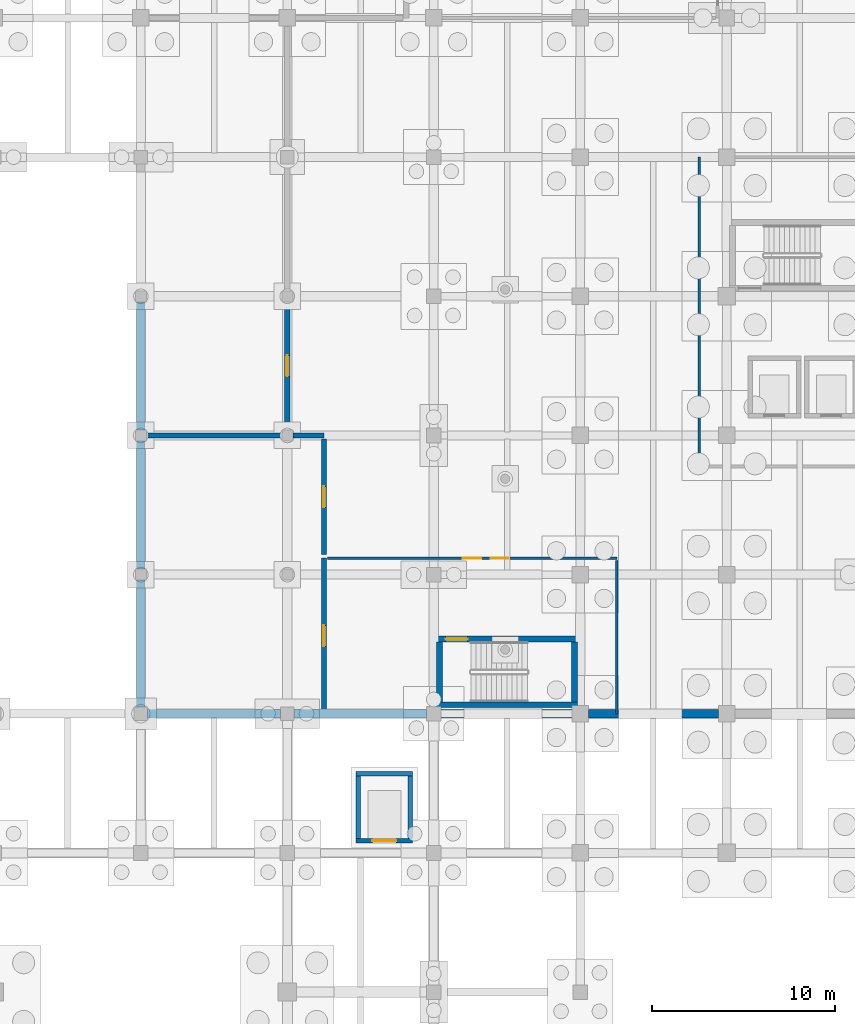
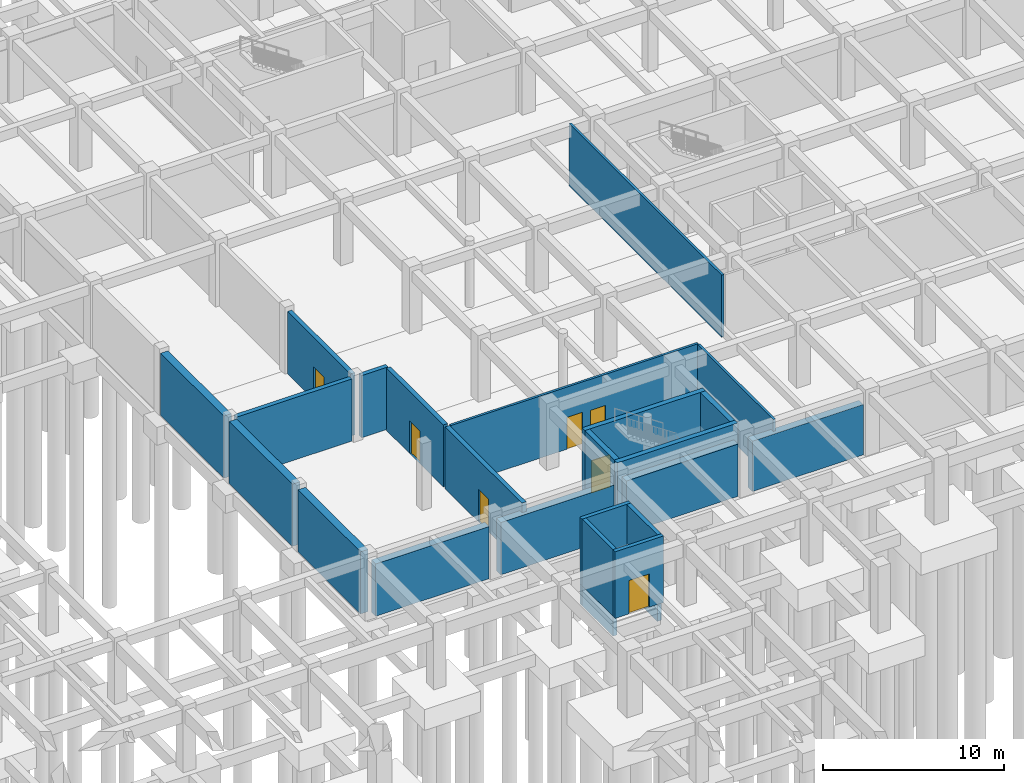
# One storey, part 34 of 49: 26 walls, 7 doors, 7 openings.
"""IFC4 building model written with IfcOpenShell, lengths in metres."""

from ifc_helpers import new_model, si_unit, direction, frame, frame_2d, origin, place, context, subcontext, project, spatial, rectangle, extrude, material, layer, layer_set, type_object, element, fill, save


model = new_model("IFC4")

# Units and contexts
model_context = context("Model", 3, precision=1e-05, world=origin(), true_north=direction((0.0, 1.0)))
body_context = subcontext(model_context, "Body", "Model", "MODEL_VIEW")
ifc_project = project(units=[si_unit("LENGTHUNIT", "METRE"), si_unit("AREAUNIT", "SQUARE_METRE"), si_unit("VOLUMEUNIT", "CUBIC_METRE"), si_unit("PLANEANGLEUNIT", "RADIAN"), si_unit("MASSUNIT", "GRAM", prefix="KILO")], contexts=[model_context])

# Site, building, storey
site_placement = place(None, origin())
site = spatial("IfcSite", under=ifc_project, at=site_placement, CompositionType="ELEMENT")
building_placement = place(site_placement, origin())
building = spatial("IfcBuilding", under=site, at=building_placement, Name="Zantavel Square City Hall", CompositionType="ELEMENT")
storey_placement = place(building_placement, frame((0.0, 0.0, -4.5)))
storey = spatial("IfcBuildingStorey", under=building, at=storey_placement, Name="B1", CompositionType="ELEMENT", Elevation=-4.5)

# Wall
ifc_material_1 = material(Name="Concrete C35/45", Category="concrete")
ifc_layer_1 = layer(ifc_material_1, 0.280029296875, Name="Concrete C35/45")
ifc_layer_set_1 = layer_set([ifc_layer_1], Name="Concrete C35/45")
wall_type_1 = type_object("IfcWallType", Name="Archive & Substation Vault Wall 280mm", PredefinedType="STANDARD", material=ifc_layer_set_1)
wall_1_placement = place(storey_placement, frame((32.31005859375, 53.199951171875, 0.0), z_axis=(0.0, 0.0, 1.0), x_axis=(1.0, 0.0, 0.0)))
element("IfcWall", 1, at=wall_1_placement, inside=storey, type_object=wall_type_1, Name="B1 Interior Wall IW-B1-0008", PredefinedType="STANDARD", context=body_context, shape_type="SweptSolid", body=[
    extrude(rectangle(XDim=7.3798828125, YDim=0.280029296875, at=frame_2d((3.68994140625, 0.0))), origin(), (0.0, 0.0, 1.0), 4.199951171875),
])

# Wall, opening, door
wall_2_placement = place(storey_placement, frame((42.0, 46.5, 0.0), z_axis=(0.0, 0.0, 1.0), x_axis=(0.0, -1.0, 0.0)))
wall_2 = element("IfcWall", 2, at=wall_2_placement, inside=storey, type_object=wall_type_1, Name="B1 Interior Wall IW-B1-0009", PredefinedType="STANDARD", context=body_context, shape_type="SweptSolid", body=[
    extrude(rectangle(XDim=8.5, YDim=0.280029296875, at=frame_2d((4.25, 0.0))), origin(), (0.0, 0.0, 1.0), 4.179931640625),
])
opening_1_placement = place(wall_2_placement, frame((3.675048828125, 0.0, 0.0)))
opening_1 = element("IfcOpeningElement", 3, at=opening_1_placement, cuts=wall_2, Name="Opening D-0004", PredefinedType="OPENING", context=body_context, shape_type="SweptSolid", body=[
    extrude(rectangle(XDim=1.14990234375, YDim=2.199951171875, at=frame_2d((0.574951171875, 1.10009765625))), frame((0.0, 0.14990234375, 0.0), z_axis=(0.0, -1.0, 0.0), x_axis=(1.0, 0.0, 0.0)), (0.0, 0.0, 1.0), 0.300048828125),
])
ifc_material_2 = material(Name="Steel ASTM A500 Grade B", Category="steel")
door_type_1 = type_object("IfcDoorType", Name="Archive & Plant Fire Door 1150x2200 FD90S", OperationType="NOTDEFINED", PredefinedType="DOOR", material=ifc_material_2)
door_1_placement = place(opening_1_placement, origin())
door_1 = element("IfcDoor", 4, at=door_1_placement, inside=storey, type_object=door_type_1, Name="B1 Electrical Substation Room Door", OperationType="SINGLE_SWING_RIGHT", OverallHeight=2.199951171875, OverallWidth=1.14990234375, PredefinedType="DOOR", context=body_context, shape_type="SweptSolid", body=[
    extrude(rectangle(XDim=1.14990234375, YDim=2.199951171875, at=frame_2d((0.574951171875, 1.10009765625))), frame((0.0, 0.02490234375, 0.0), z_axis=(0.0, -1.0, 0.0), x_axis=(1.0, 0.0, 0.0)), (0.0, 0.0, 1.0), 0.050048828125),
])
fill(opening_1, door_1)

# Wall
wall_3_placement = place(storey_placement, frame((40.31005859375, 53.199951171875, 0.0), z_axis=(0.0, 0.0, 1.0), x_axis=(1.0, 0.0, 0.0)))
element("IfcWall", 5, at=wall_3_placement, inside=storey, type_object=wall_type_1, Name="B1 Interior Wall IW-B1-0010", PredefinedType="STANDARD", context=body_context, shape_type="SweptSolid", body=[
    extrude(rectangle(XDim=1.68994140625, YDim=0.280029296875, at=frame_2d((0.844970703125, 0.0))), origin(), (0.0, 0.0, 1.0), 4.199951171875),
])

# Wall, opening, door
wall_4_placement = place(storey_placement, frame((42.0, 53.010009765625, 0.0), z_axis=(0.0, 0.0, 1.0), x_axis=(0.0, -1.0, 0.0)))
wall_4 = element("IfcWall", 6, at=wall_4_placement, inside=storey, type_object=wall_type_1, Name="B1 Interior Wall IW-B1-0011", PredefinedType="STANDARD", context=body_context, shape_type="SweptSolid", body=[
    extrude(rectangle(XDim=6.320068359375, YDim=0.280029296875, at=frame_2d((3.16015625, 0.0))), origin(), (0.0, 0.0, 1.0), 4.199951171875),
])
opening_2_placement = place(wall_4_placement, frame((2.5849609375, 0.0, 0.0)))
opening_2 = element("IfcOpeningElement", 7, at=opening_2_placement, cuts=wall_4, Name="Opening D-0005", PredefinedType="OPENING", context=body_context, shape_type="SweptSolid", body=[
    extrude(rectangle(XDim=1.14990234375, YDim=2.199951171875, at=frame_2d((0.574951171875, 1.10009765625))), frame((0.0, 0.14990234375, 0.0), z_axis=(0.0, -1.0, 0.0), x_axis=(1.0, 0.0, 0.0)), (0.0, 0.0, 1.0), 0.300048828125),
])
door_2_placement = place(opening_2_placement, origin())
door_2 = element("IfcDoor", 8, at=door_2_placement, inside=storey, type_object=door_type_1, Name="B1 Electrical Substation Room Door", OperationType="SINGLE_SWING_LEFT", OverallHeight=2.199951171875, OverallWidth=1.14990234375, PredefinedType="DOOR", context=body_context, shape_type="SweptSolid", body=[
    extrude(rectangle(XDim=1.14990234375, YDim=2.199951171875, at=frame_2d((0.574951171875, 1.10009765625))), frame((0.0, 0.02490234375, 0.0), z_axis=(0.0, -1.0, 0.0), x_axis=(1.0, 0.0, 0.0)), (0.0, 0.0, 1.0), 0.050048828125),
])
fill(opening_2, door_2)

wall_5_placement = place(storey_placement, frame((40.0, 60.489990234375, 0.0), z_axis=(0.0, 0.0, 1.0), x_axis=(0.0, -1.0, 0.0)))
wall_5 = element("IfcWall", 9, at=wall_5_placement, inside=storey, type_object=wall_type_1, Name="B1 Interior Wall IW-B1-0015", PredefinedType="STANDARD", context=body_context, shape_type="SweptSolid", body=[
    extrude(rectangle(XDim=6.97998046875, YDim=0.280029296875, at=frame_2d((3.489990234375, 0.0))), origin(), (0.0, 0.0, 1.0), 4.199951171875),
])
opening_3_placement = place(wall_5_placement, frame((2.9150390625, 0.0, 0.0)))
opening_3 = element("IfcOpeningElement", 10, at=opening_3_placement, cuts=wall_5, Name="Opening D-0006", PredefinedType="OPENING", context=body_context, shape_type="SweptSolid", body=[
    extrude(rectangle(XDim=1.14990234375, YDim=2.199951171875, at=frame_2d((0.574951171875, 1.10009765625))), frame((0.0, 0.14990234375, 0.0), z_axis=(0.0, -1.0, 0.0), x_axis=(1.0, 0.0, 0.0)), (0.0, 0.0, 1.0), 0.300048828125),
])
door_3_placement = place(opening_3_placement, origin())
door_3 = element("IfcDoor", 11, at=door_3_placement, inside=storey, type_object=door_type_1, Name="B1 Emergency Generator Room Door", OperationType="SINGLE_SWING_RIGHT", OverallHeight=2.199951171875, OverallWidth=1.14990234375, PredefinedType="DOOR", context=body_context, shape_type="SweptSolid", body=[
    extrude(rectangle(XDim=1.14990234375, YDim=2.199951171875, at=frame_2d((0.574951171875, 1.10009765625))), frame((0.0, 0.02490234375, 0.0), z_axis=(0.0, -1.0, 0.0), x_axis=(1.0, 0.0, 0.0)), (0.0, 0.0, 1.0), 0.050048828125),
])
fill(opening_3, door_3)

# Walls
ifc_material_3 = material(Name="Concrete C40/50", Category="concrete")
ifc_layer_2 = layer(ifc_material_3, 0.47998046875, Name="Concrete C40/50")
ifc_layer_set_2 = layer_set([ifc_layer_2], Name="Concrete C40/50")
wall_type_2 = type_object("IfcWallType", Name="Basement Retaining Wall RC 480mm C40/50", PredefinedType="SHEAR", material=ifc_layer_set_2)
wall_6_placement = place(storey_placement, frame((63.550048828125, 38.0, 0.0), z_axis=(0.0, 0.0, 1.0), x_axis=(-1.0, 0.0, 0.0)))
element("IfcWall", 12, at=wall_6_placement, inside=storey, type_object=wall_type_2, Name="B1 Exterior Wall EW-B1-032", PredefinedType="SHEAR", context=body_context, shape_type="SweptSolid", body=[
    extrude(rectangle(XDim=7.10009765625, YDim=0.47998046875, at=frame_2d((3.550048828125, 0.0))), origin(), (0.0, 0.0, 1.0), 3.39990234375),
])
wall_7_placement = place(storey_placement, frame((55.550048828125, 38.0, 0.0), z_axis=(0.0, 0.0, 1.0), x_axis=(-1.0, 0.0, 0.0)))
element("IfcWall", 13, at=wall_7_placement, inside=storey, type_object=wall_type_2, Name="B1 Exterior Wall EW-B1-033", PredefinedType="SHEAR", context=body_context, shape_type="SweptSolid", body=[
    extrude(rectangle(XDim=7.150146484375, YDim=0.47998046875, at=frame_2d((3.5751953125, 0.0))), origin(), (0.0, 0.0, 1.0), 3.530029296875),
])
wall_8_placement = place(storey_placement, frame((47.60009765625, 38.0, 0.0), z_axis=(0.0, 0.0, 1.0), x_axis=(-1.0, 0.0, 0.0)))
element("IfcWall", 14, at=wall_8_placement, inside=storey, type_object=wall_type_2, Name="B1 Exterior Wall EW-B1-034", PredefinedType="SHEAR", context=body_context, shape_type="SweptSolid", body=[
    extrude(rectangle(XDim=7.22509765625, YDim=0.47998046875, at=frame_2d((3.612548828125, 0.0))), origin(), (0.0, 0.0, 1.0), 3.530029296875),
])
wall_9_placement = place(storey_placement, frame((39.625, 38.0, 0.0), z_axis=(0.0, 0.0, 1.0), x_axis=(-1.0, 0.0, 0.0)))
element("IfcWall", 15, at=wall_9_placement, inside=storey, type_object=wall_type_2, Name="B1 Exterior Wall EW-B1-035", PredefinedType="SHEAR", context=body_context, shape_type="SweptSolid", body=[
    extrude(rectangle(XDim=7.25, YDim=0.47998046875, at=frame_2d((3.625, 0.0))), origin(), (0.0, 0.0, 1.0), 3.530029296875),
])
wall_10_placement = place(storey_placement, frame((32.0, 38.375, 0.0), z_axis=(0.0, 0.0, 1.0), x_axis=(0.0, 1.0, 0.0)))
element("IfcWall", 16, at=wall_10_placement, inside=storey, type_object=wall_type_2, Name="B1 Exterior Wall EW-B1-036", PredefinedType="SHEAR", context=body_context, shape_type="SweptSolid", body=[
    extrude(rectangle(XDim=6.925048828125, YDim=0.47998046875, at=frame_2d((3.46240234375, 0.0))), origin(), (0.0, 0.0, 1.0), 4.199951171875),
])
for number, where, z_axis, x_axis, name in (
    (17, (32.0, 45.89990234375, 0.0), (0.0, 0.0, 1.0), (0.0, 1.0, 0.0), "B1 Exterior Wall EW-B1-037"),
    (18, (32.0, 53.5, 0.0), (0.0, 0.0, 1.0), (0.0, 1.0, 0.0), "B1 Exterior Wall EW-B1-038"),
):
    element("IfcWall", number, at=place(storey_placement, frame(where, z_axis=z_axis, x_axis=x_axis)), inside=storey, type_object=wall_type_2, Name=name, PredefinedType="SHEAR", context=body_context, shape_type="SweptSolid", body=[
        extrude(rectangle(XDim=7.0, YDim=0.47998046875, at=frame_2d((3.5, 0.0))), origin(), (0.0, 0.0, 1.0), 4.199951171875),
    ])
ifc_layer_3 = layer(ifc_material_3, 0.320068359375, Name="Concrete C40/50")
ifc_layer_set_3 = layer_set([ifc_layer_3], Name="Concrete C40/50")
wall_type_3 = type_object("IfcWallType", Name="Core Shear Wall RC 320mm C40/50", PredefinedType="SHEAR", material=ifc_layer_set_3)
wall_11_placement = place(storey_placement, frame((55.85009765625, 38.489990234375, 0.0), z_axis=(0.0, 0.0, 1.0), x_axis=(-1.0, 0.0, 0.0)))
element("IfcWall", 19, at=wall_11_placement, inside=storey, type_object=wall_type_3, Name="B1 Exit Stair 3 West Pavilion Core Shear Wall South", PredefinedType="SHEAR", context=body_context, shape_type="SweptSolid", body=[
    extrude(rectangle(XDim=7.7001953125, YDim=0.320068359375, at=frame_2d((3.85009765625, 0.0))), origin(), (0.0, 0.0, 1.0), 4.5),
])
wall_12_placement = place(storey_placement, frame((48.31005859375, 38.64990234375, 0.0), z_axis=(0.0, 0.0, 1.0), x_axis=(0.0, 1.0, 0.0)))
element("IfcWall", 20, at=wall_12_placement, inside=storey, type_object=wall_type_3, Name="B1 Exit Stair 3 West Pavilion Core Shear Wall West", PredefinedType="SHEAR", context=body_context, shape_type="SweptSolid", body=[
    extrude(rectangle(XDim=3.27001953125, YDim=0.320068359375, at=frame_2d((1.635009765625, 0.0))), origin(), (0.0, 0.0, 1.0), 4.5),
])

# Wall, opening, door
wall_13_placement = place(storey_placement, frame((48.14990234375, 42.080078125, 0.0), z_axis=(0.0, 0.0, 1.0), x_axis=(1.0, 0.0, 0.0)))
wall_13 = element("IfcWall", 21, at=wall_13_placement, inside=storey, type_object=wall_type_3, Name="B1 Exit Stair 3 West Pavilion Core Shear Wall North", PredefinedType="SHEAR", context=body_context, shape_type="SweptSolid", body=[
    extrude(rectangle(XDim=7.7001953125, YDim=0.320068359375, at=frame_2d((3.85009765625, 0.0))), origin(), (0.0, 0.0, 1.0), 4.5),
])
opening_4_placement = place(wall_13_placement, frame((0.5, 0.0, 0.0)))
opening_4 = element("IfcOpeningElement", 22, at=opening_4_placement, cuts=wall_13, Name="Opening SD-012", PredefinedType="OPENING", context=body_context, shape_type="SweptSolid", body=[
    extrude(rectangle(XDim=1.199951171875, YDim=2.199951171875, at=frame_2d((0.60009765625, 1.10009765625))), frame((0.0, 0.169921875, 0.0), z_axis=(0.0, -1.0, 0.0), x_axis=(1.0, 0.0, 0.0)), (0.0, 0.0, 1.0), 0.340087890625),
])
door_type_2 = type_object("IfcDoorType", Name="Enclosed Exit Stairwell Fire Door 1200x2200 FD90S", OperationType="NOTDEFINED", PredefinedType="DOOR", material=ifc_material_2)
door_4_placement = place(opening_4_placement, origin())
door_4 = element("IfcDoor", 23, at=door_4_placement, inside=storey, type_object=door_type_2, Name="B1 Exit Stair 3 West Pavilion Core Fire Door", OperationType="SINGLE_SWING_RIGHT", OverallHeight=2.199951171875, OverallWidth=1.199951171875, PredefinedType="DOOR", context=body_context, shape_type="SweptSolid", body=[
    extrude(rectangle(XDim=1.199951171875, YDim=2.199951171875, at=frame_2d((0.60009765625, 1.10009765625))), frame((0.0, 0.02490234375, 0.0), z_axis=(0.0, -1.0, 0.0), x_axis=(1.0, 0.0, 0.0)), (0.0, 0.0, 1.0), 0.050048828125),
])
fill(opening_4, door_4)

# Wall
wall_14_placement = place(storey_placement, frame((55.68994140625, 41.919921875, 0.0), z_axis=(0.0, 0.0, 1.0), x_axis=(0.0, -1.0, 0.0)))
element("IfcWall", 24, at=wall_14_placement, inside=storey, type_object=wall_type_3, Name="B1 Exit Stair 3 West Pavilion Core Shear Wall East", PredefinedType="SHEAR", context=body_context, shape_type="SweptSolid", body=[
    extrude(rectangle(XDim=3.27001953125, YDim=0.320068359375, at=frame_2d((1.635009765625, 0.0))), origin(), (0.0, 0.0, 1.0), 4.5),
])

# Wall, openings, doors
ifc_material_4 = material(Name="Gypsum acoustic stud assembly", Category="masonry")
ifc_layer_4 = layer(ifc_material_4, 0.14990234375, Name="Gypsum acoustic stud assembly")
ifc_layer_set_4 = layer_set([ifc_layer_4], Name="Gypsum acoustic stud assembly")
wall_type_4 = type_object("IfcWallType", Name="Department Office Partition 150mm", PredefinedType="PARTITIONING", material=ifc_layer_set_4)
wall_15_placement = place(storey_placement, frame((42.18994140625, 46.5, 0.0), z_axis=(0.0, 0.0, 1.0), x_axis=(1.0, 0.0, 0.0)))
wall_15 = element("IfcWall", 25, at=wall_15_placement, inside=storey, type_object=wall_type_4, Name="B1 Interior Wall IW-B1-0026", PredefinedType="PARTITIONING", context=body_context, shape_type="SweptSolid", body=[
    extrude(rectangle(XDim=15.81005859375, YDim=0.14990234375, at=frame_2d((7.905029296875, 0.0))), origin(), (0.0, 0.0, 1.0), 4.199951171875),
])
opening_5_placement = place(wall_15_placement, frame((7.405029296875, 0.0, 0.0)))
opening_5 = element("IfcOpeningElement", 26, at=opening_5_placement, cuts=wall_15, Name="Opening D-0013", PredefinedType="OPENING", context=body_context, shape_type="SweptSolid", body=[
    extrude(rectangle(XDim=1.0, YDim=2.14990234375, at=frame_2d((0.5, 1.074951171875))), frame((0.0, 0.0849609375, 0.0), z_axis=(0.0, -1.0, 0.0), x_axis=(1.0, 0.0, 0.0)), (0.0, 0.0, 1.0), 0.169921875),
])
opening_6_placement = place(wall_15_placement, frame((8.929931640625, 0.0, 0.0)))
opening_6 = element("IfcOpeningElement", 27, at=opening_6_placement, cuts=wall_15, Name="Opening D-0018", PredefinedType="OPENING", context=body_context, shape_type="SweptSolid", body=[
    extrude(rectangle(XDim=0.949951171875, YDim=2.10009765625, at=frame_2d((0.47509765625, 1.050048828125))), frame((0.0, 0.0849609375, 0.0), z_axis=(0.0, -1.0, 0.0), x_axis=(1.0, 0.0, 0.0)), (0.0, 0.0, 1.0), 0.169921875),
])
ifc_material_5 = material(Name="Solid oak hardwood", Category="wood")
door_type_3 = type_object("IfcDoorType", Name="Office Internal Oak Single Door 950x2100", OperationType="NOTDEFINED", PredefinedType="DOOR", material=ifc_material_5)
door_5_placement = place(opening_6_placement, origin())
door_5 = element("IfcDoor", 28, at=door_5_placement, inside=storey, type_object=door_type_3, Name="B1 Subterranean Municipal Car Park Door", OperationType="SINGLE_SWING_RIGHT", OverallHeight=2.10009765625, OverallWidth=0.949951171875, PredefinedType="DOOR", context=body_context, shape_type="SweptSolid", body=[
    extrude(rectangle(XDim=0.949951171875, YDim=2.10009765625, at=frame_2d((0.47509765625, 1.050048828125))), frame((0.0, 0.02490234375, 0.0), z_axis=(0.0, -1.0, 0.0), x_axis=(1.0, 0.0, 0.0)), (0.0, 0.0, 1.0), 0.050048828125),
])
fill(opening_6, door_5)
door_type_4 = type_object("IfcDoorType", Name="Suite Internal Oak Single Door 1000x2150", OperationType="NOTDEFINED", PredefinedType="DOOR", material=ifc_material_5)
door_6_placement = place(opening_5_placement, origin())
door_6 = element("IfcDoor", 29, at=door_6_placement, inside=storey, type_object=door_type_4, Name="B1 Subterranean Municipal Car Park Door", OperationType="SINGLE_SWING_LEFT", OverallHeight=2.14990234375, OverallWidth=1.0, PredefinedType="DOOR", context=body_context, shape_type="SweptSolid", body=[
    extrude(rectangle(XDim=1.0, YDim=2.14990234375, at=frame_2d((0.5, 1.074951171875))), frame((0.0, 0.02490234375, 0.0), z_axis=(0.0, -1.0, 0.0), x_axis=(1.0, 0.0, 0.0)), (0.0, 0.0, 1.0), 0.050048828125),
])
fill(opening_5, door_6)

# Walls
wall_16_placement = place(storey_placement, frame((58.0, 46.375, 0.0), z_axis=(0.0, 0.0, 1.0), x_axis=(0.0, -1.0, 0.0)))
element("IfcWall", 30, at=wall_16_placement, inside=storey, type_object=wall_type_4, Name="B1 Interior Wall IW-B1-0027", PredefinedType="PARTITIONING", context=body_context, shape_type="SweptSolid", body=[
    extrude(rectangle(XDim=8.375, YDim=0.14990234375, at=frame_2d((4.1875, 0.0))), origin(), (0.0, 0.0, 1.0), 4.199951171875),
])
wall_17_placement = place(storey_placement, frame((62.5, 51.5, 0.0), z_axis=(0.0, 0.0, 1.0), x_axis=(0.0, 1.0, 0.0)))
element("IfcWall", 31, at=wall_17_placement, inside=storey, type_object=wall_type_4, Name="B1 Interior Wall IW-B1-0030", PredefinedType="PARTITIONING", context=body_context, shape_type="SweptSolid", body=[
    extrude(rectangle(XDim=16.89990234375, YDim=0.14990234375, at=frame_2d((8.449951171875, 0.0))), origin(), (0.0, 0.0, 1.0), 4.199951171875),
])
ifc_layer_5 = layer(ifc_material_3, 0.25, Name="Concrete C40/50")
ifc_layer_set_5 = layer_set([ifc_layer_5], Name="Concrete C40/50")
wall_type_5 = type_object("IfcWallType", Name="Lift Shaft Wall RC 250mm C40/50", PredefinedType="SHEAR", material=ifc_layer_set_5)
wall_18_placement = place(storey_placement, frame((43.875, 31.199951171875, -1.35009765625), z_axis=(0.0, 0.0, 1.0), x_axis=(0.0, 1.0, 0.0)))
element("IfcWall", 32, at=wall_18_placement, inside=storey, type_object=wall_type_5, Name="Lift LF08 Pit Wall W", PredefinedType="SHEAR", context=body_context, shape_type="SweptSolid", body=[
    extrude(rectangle(XDim=3.400146484375, YDim=0.25, at=frame_2d((1.7001953125, 0.0))), origin(), (0.0, 0.0, 1.0), 1.35009765625),
])
wall_19_placement = place(storey_placement, frame((43.75, 34.72509765625, -1.35009765625), z_axis=(0.0, 0.0, 1.0), x_axis=(1.0, 0.0, 0.0)))
element("IfcWall", 33, at=wall_19_placement, inside=storey, type_object=wall_type_5, Name="Lift LF08 Pit Wall N", PredefinedType="SHEAR", context=body_context, shape_type="SweptSolid", body=[
    extrude(rectangle(XDim=3.10009765625, YDim=0.25, at=frame_2d((1.550048828125, 0.0))), origin(), (0.0, 0.0, 1.0), 1.35009765625),
])
wall_20_placement = place(storey_placement, frame((46.72509765625, 34.60009765625, -1.35009765625), z_axis=(0.0, 0.0, 1.0), x_axis=(0.0, -1.0, 0.0)))
element("IfcWall", 34, at=wall_20_placement, inside=storey, type_object=wall_type_5, Name="Lift LF08 Pit Wall E", PredefinedType="SHEAR", context=body_context, shape_type="SweptSolid", body=[
    extrude(rectangle(XDim=3.400146484375, YDim=0.25, at=frame_2d((1.7001953125, 0.0))), origin(), (0.0, 0.0, 1.0), 1.35009765625),
])

# Wall, opening, door
wall_21_placement = place(storey_placement, frame((46.85009765625, 31.074951171875, 0.0), z_axis=(0.0, 0.0, 1.0), x_axis=(-1.0, 0.0, 0.0)))
wall_21 = element("IfcWall", 35, at=wall_21_placement, inside=storey, type_object=wall_type_5, Name="B1 Lift LF08 Shaft Wall South", PredefinedType="SHEAR", context=body_context, shape_type="SweptSolid", body=[
    extrude(rectangle(XDim=3.10009765625, YDim=0.25, at=frame_2d((1.550048828125, 0.0))), origin(), (0.0, 0.0, 1.0), 4.5),
])
opening_7_placement = place(wall_21_placement, frame((0.89990234375, 0.0, 0.0)))
opening_7 = element("IfcOpeningElement", 36, at=opening_7_placement, cuts=wall_21, Name="Opening LD-LF08-B1", PredefinedType="OPENING", context=body_context, shape_type="SweptSolid", body=[
    extrude(rectangle(XDim=1.300048828125, YDim=2.25, at=frame_2d((0.64990234375, 1.125))), frame((0.0, 0.135009765625, 0.0), z_axis=(0.0, -1.0, 0.0), x_axis=(1.0, 0.0, 0.0)), (0.0, 0.0, 1.0), 0.27001953125),
])
ifc_material_6 = material(Name="Stainless steel 316", Category="steel")
door_type_5 = type_object("IfcDoorType", Name="Goods Lift Landing Sliding Door 1300x2250 FD90S", OperationType="NOTDEFINED", PredefinedType="DOOR", material=ifc_material_6)
door_7_placement = place(opening_7_placement, origin())
door_7 = element("IfcDoor", 37, at=door_7_placement, inside=storey, type_object=door_type_5, Name="B1 Lift LF08 Sliding Landing Door", OperationType="DOUBLE_DOOR_SLIDING", OverallHeight=2.25, OverallWidth=1.300048828125, PredefinedType="DOOR", context=body_context, shape_type="SweptSolid", body=[
    extrude(rectangle(XDim=1.300048828125, YDim=2.25, at=frame_2d((0.64990234375, 1.125))), frame((0.0, 0.02490234375, 0.0), z_axis=(0.0, -1.0, 0.0), x_axis=(1.0, 0.0, 0.0)), (0.0, 0.0, 1.0), 0.050048828125),
])
fill(opening_7, door_7)

# Walls
wall_22_placement = place(storey_placement, frame((43.875, 31.199951171875, 0.0), z_axis=(0.0, 0.0, 1.0), x_axis=(0.0, 1.0, 0.0)))
element("IfcWall", 38, at=wall_22_placement, inside=storey, type_object=wall_type_5, Name="B1 Lift LF08 Shaft Wall West", PredefinedType="SHEAR", context=body_context, shape_type="SweptSolid", body=[
    extrude(rectangle(XDim=3.400146484375, YDim=0.25, at=frame_2d((1.7001953125, 0.0))), origin(), (0.0, 0.0, 1.0), 4.5),
])
wall_23_placement = place(storey_placement, frame((43.75, 34.72509765625, 0.0), z_axis=(0.0, 0.0, 1.0), x_axis=(1.0, 0.0, 0.0)))
element("IfcWall", 39, at=wall_23_placement, inside=storey, type_object=wall_type_5, Name="B1 Lift LF08 Shaft Wall North", PredefinedType="SHEAR", context=body_context, shape_type="SweptSolid", body=[
    extrude(rectangle(XDim=3.10009765625, YDim=0.25, at=frame_2d((1.550048828125, 0.0))), origin(), (0.0, 0.0, 1.0), 4.5),
])
wall_24_placement = place(storey_placement, frame((46.72509765625, 34.60009765625, 0.0), z_axis=(0.0, 0.0, 1.0), x_axis=(0.0, -1.0, 0.0)))
element("IfcWall", 40, at=wall_24_placement, inside=storey, type_object=wall_type_5, Name="B1 Lift LF08 Shaft Wall East", PredefinedType="SHEAR", context=body_context, shape_type="SweptSolid", body=[
    extrude(rectangle(XDim=3.400146484375, YDim=0.25, at=frame_2d((1.7001953125, 0.0))), origin(), (0.0, 0.0, 1.0), 4.5),
])

save(model, "model.ifc")
